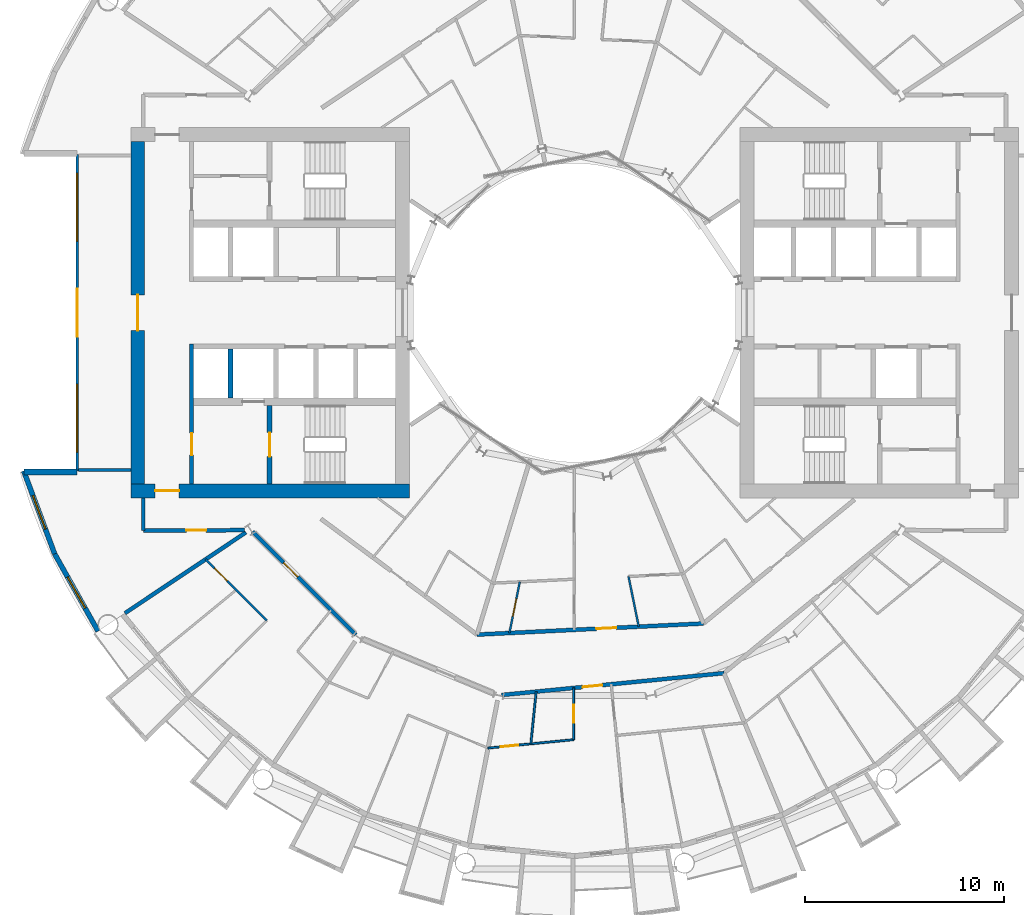
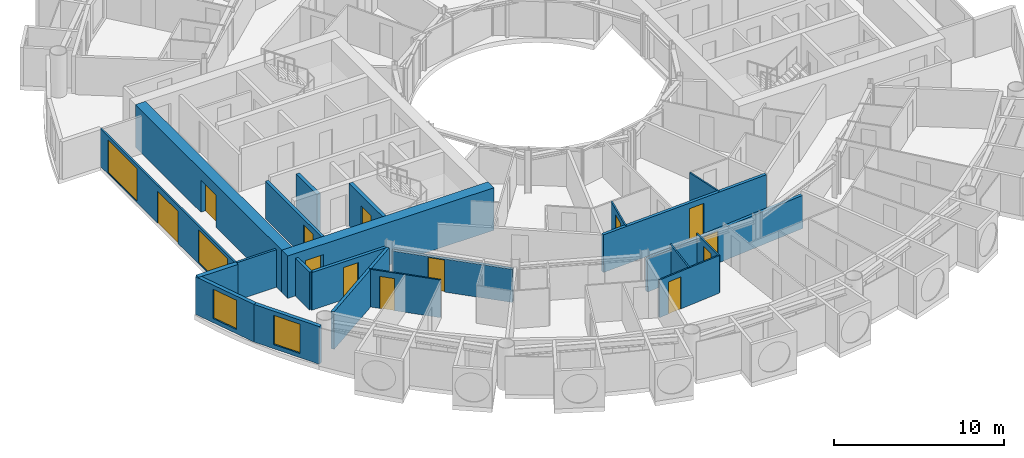
# One storey, part 14 of 26: 22 walls, 13 doors, 4 windows, 17 openings.
"""IFC4 building model written with IfcOpenShell, lengths in metres."""

from ifc_helpers import new_model, si_unit, direction, frame, frame_2d, origin, place, context, subcontext, project, spatial, rectangle, extrude, material, layer, layer_set, type_object, element, fill, save


model = new_model("IFC4")

# Units and contexts
model_context = context("Model", 3, precision=1e-05, world=origin(), true_north=direction((0.0, 1.0)))
body_context = subcontext(model_context, "Body", "Model", "MODEL_VIEW")
ifc_project = project(units=[si_unit("LENGTHUNIT", "METRE"), si_unit("AREAUNIT", "SQUARE_METRE"), si_unit("VOLUMEUNIT", "CUBIC_METRE"), si_unit("PLANEANGLEUNIT", "RADIAN"), si_unit("MASSUNIT", "GRAM", prefix="KILO")], contexts=[model_context])

# Site, building, storey
site_placement = place(None, origin())
site = spatial("IfcSite", under=ifc_project, at=site_placement, CompositionType="ELEMENT")
building_placement = place(site_placement, origin())
building = spatial("IfcBuilding", under=site, at=building_placement, Name="Maasbend Ring Residences", CompositionType="ELEMENT")
storey_placement = place(building_placement, frame((0.0, 0.0, 63.60009765625)))
storey = spatial("IfcBuildingStorey", under=building, at=storey_placement, Name="L17", CompositionType="ELEMENT", Elevation=63.60009765625)

# Wall, opening, door
ifc_material_1 = material(Name="Concrete C70/85", Category="concrete")
ifc_layer_1 = layer(ifc_material_1, 0.25)
ifc_layer_set_1 = layer_set([ifc_layer_1], Name="Concrete C70/85")
wall_type_1 = type_object("IfcWallType", Name="CORE WALL 250 C70/85", PredefinedType="SHEAR", material=ifc_layer_set_1)
wall_1_placement = place(storey_placement, frame((-15.324951171875, -4.64990234375, 0.0), z_axis=(0.0, 0.0, 1.0), x_axis=(0.0, -1.0, 0.0)))
wall_1 = element("IfcWall", 1, at=wall_1_placement, inside=storey, type_object=wall_type_1, Name="L17 core W wall STEN", PredefinedType="SHEAR", context=body_context, shape_type="SweptSolid", body=[
    extrude(rectangle(XDim=3.9501953125, YDim=0.25, at=frame_2d((1.97509765625, 0.0))), origin(), (0.0, 0.0, 1.0), 3.0498046875),
])
opening_1_placement = place(wall_1_placement, frame((1.375, 0.0, 0.0)))
opening_1 = element("IfcOpeningElement", 2, at=opening_1_placement, cuts=wall_1, Name="Opening D-W1709", PredefinedType="OPENING", context=body_context, shape_type="SweptSolid", body=[
    extrude(rectangle(XDim=1.199951171875, YDim=2.300048828125, at=frame_2d((0.60009765625, 1.14990234375))), frame((0.0, 0.135009765625, 0.0), z_axis=(0.0, -1.0, 0.0), x_axis=(1.0, 0.0, 0.0)), (0.0, 0.0, 1.0), 0.27001953125),
])
ifc_material_2 = material(Name="Steel, powder coated", Category="steel")
door_type_1 = type_object("IfcDoorType", Name="STAIR DOOR 1200 X 2300 FD60", OperationType="NOTDEFINED", PredefinedType="DOOR", material=ifc_material_2)
door_1_placement = place(opening_1_placement, origin())
door_1 = element("IfcDoor", 3, at=door_1_placement, inside=storey, type_object=door_type_1, Name="Stair door ST-W L17", OperationType="SINGLE_SWING_LEFT", OverallHeight=2.300048828125, OverallWidth=1.199951171875, PredefinedType="DOOR", context=body_context, shape_type="SweptSolid", body=[
    extrude(rectangle(XDim=1.199951171875, YDim=2.300048828125, at=frame_2d((0.60009765625, 1.14990234375))), frame((0.0, 0.02490234375, 0.0), z_axis=(0.0, -1.0, 0.0), x_axis=(1.0, 0.0, 0.0)), (0.0, 0.0, 1.0), 0.050048828125),
])
fill(opening_1, door_1)

ifc_material_3 = material(Name="Concrete C70/85", Category="concrete")
ifc_layer_2 = layer(ifc_material_3, 0.699951171875)
ifc_layer_set_2 = layer_set([ifc_layer_2], Name="Concrete C70/85")
wall_type_2 = type_object("IfcWallType", Name="CORE WALL 700 C70/85", PredefinedType="SHEAR", material=ifc_layer_set_2)
wall_2_placement = place(storey_placement, frame((-22.300048828125, -8.949951171875, 0.0), z_axis=(0.0, 0.0, 1.0), x_axis=(1.0, 0.0, 0.0)))
wall_2 = element("IfcWall", 4, at=wall_2_placement, inside=storey, type_object=wall_type_2, Name="L17 core W wall PN", PredefinedType="SHEAR", context=body_context, shape_type="SweptSolid", body=[
    extrude(rectangle(XDim=14.0, YDim=0.699951171875, at=frame_2d((7.0, 0.0))), origin(), (0.0, 0.0, 1.0), 3.0498046875),
])
opening_2_placement = place(wall_2_placement, frame((1.22509765625, 0.0, 0.0)))
opening_2 = element("IfcOpeningElement", 5, at=opening_2_placement, cuts=wall_2, Name="Opening D-W1713", PredefinedType="OPENING", context=body_context, shape_type="SweptSolid", body=[
    extrude(rectangle(XDim=1.199951171875, YDim=2.300048828125, at=frame_2d((0.60009765625, 1.14990234375))), frame((0.0, 0.35986328125, 0.0), z_axis=(0.0, -1.0, 0.0), x_axis=(1.0, 0.0, 0.0)), (0.0, 0.0, 1.0), 0.719970703125),
])
ifc_material_4 = material(Name="Steel, powder coated", Category="steel")
door_type_2 = type_object("IfcDoorType", Name="CORRIDOR DOOR 1200 X 2300 FD30S", OperationType="NOTDEFINED", PredefinedType="DOOR", material=ifc_material_4)
door_2_placement = place(opening_2_placement, origin())
door_2 = element("IfcDoor", 6, at=door_2_placement, inside=storey, type_object=door_type_2, Name="Corridor door L17", OperationType="SINGLE_SWING_RIGHT", OverallHeight=2.300048828125, OverallWidth=1.199951171875, PredefinedType="DOOR", context=body_context, shape_type="SweptSolid", body=[
    extrude(rectangle(XDim=1.199951171875, YDim=2.300048828125, at=frame_2d((0.60009765625, 1.14990234375))), frame((0.0, 0.02490234375, 0.0), z_axis=(0.0, -1.0, 0.0), x_axis=(1.0, 0.0, 0.0)), (0.0, 0.0, 1.0), 0.050048828125),
])
fill(opening_2, door_2)

wall_3_placement = place(storey_placement, frame((-21.949951171875, -8.60009765625, 0.0), z_axis=(0.0, 0.0, 1.0), x_axis=(0.0, 1.0, 0.0)))
wall_3 = element("IfcWall", 7, at=wall_3_placement, inside=storey, type_object=wall_type_2, Name="L17 core W wall POUT", PredefinedType="SHEAR", context=body_context, shape_type="SweptSolid", body=[
    extrude(rectangle(XDim=17.2001953125, YDim=0.699951171875, at=frame_2d((8.60009765625, 0.0))), origin(), (0.0, 0.0, 1.0), 3.0498046875),
])
opening_3_placement = place(wall_3_placement, frame((7.699951171875, 0.0, 0.0)))
opening_3 = element("IfcOpeningElement", 8, at=opening_3_placement, cuts=wall_3, Name="Opening D-W1715", PredefinedType="OPENING", context=body_context, shape_type="SweptSolid", body=[
    extrude(rectangle(XDim=1.800048828125, YDim=2.300048828125, at=frame_2d((0.89990234375, 1.14990234375))), frame((0.0, 0.35986328125, 0.0), z_axis=(0.0, -1.0, 0.0), x_axis=(1.0, 0.0, 0.0)), (0.0, 0.0, 1.0), 0.719970703125),
])
ifc_material_5 = material(Name="Aluminium frame, clear glass", Category="aluminium")
door_type_3 = type_object("IfcDoorType", Name="ENTRANCE DOOR 1800 X 2300 FD60", OperationType="NOTDEFINED", PredefinedType="DOOR", material=ifc_material_5)
door_3_placement = place(opening_3_placement, origin())
door_3 = element("IfcDoor", 9, at=door_3_placement, inside=storey, type_object=door_type_3, Name="Lobby glazed door L17", OperationType="SINGLE_SWING_LEFT", OverallHeight=2.300048828125, OverallWidth=1.800048828125, PredefinedType="DOOR", context=body_context, shape_type="SweptSolid", body=[
    extrude(rectangle(XDim=1.800048828125, YDim=2.300048828125, at=frame_2d((0.89990234375, 1.14990234375))), frame((0.0, 0.02490234375, 0.0), z_axis=(0.0, -1.0, 0.0), x_axis=(1.0, 0.0, 0.0)), (0.0, 0.0, 1.0), 0.050048828125),
])
fill(opening_3, door_3)

ifc_material_6 = material(Name="Concrete C30/37", Category="concrete")
ifc_layer_3 = layer(ifc_material_6, 0.199951171875)
ifc_layer_set_3 = layer_set([ifc_layer_3], Name="Concrete C30/37")
wall_type_3 = type_object("IfcWallType", Name="CORRIDOR WALL 200 CONCRETE", PredefinedType="PARTITIONING", material=ifc_layer_set_3)
wall_4_placement = place(storey_placement, frame((-16.18603515625, -11.0, 0.0), z_axis=(0.0, 0.0, 1.0), x_axis=(0.707106781187, -0.707106781187, 0.0)))
wall_4 = element("IfcWall", 10, at=wall_4_placement, inside=storey, type_object=wall_type_3, Name="U-L17-w011", PredefinedType="PARTITIONING", context=body_context, shape_type="SweptSolid", body=[
    extrude(rectangle(XDim=7.334228515625, YDim=0.199951171875, at=frame_2d((3.6669921875, 0.0))), origin(), (0.0, 0.0, 1.0), 2.3798828125),
])
opening_4_placement = place(wall_4_placement, frame((2.2109375, 0.0, 0.0)))
opening_4 = element("IfcOpeningElement", 11, at=opening_4_placement, cuts=wall_4, Name="Opening D-1735", PredefinedType="OPENING", context=body_context, shape_type="SweptSolid", body=[
    extrude(rectangle(XDim=1.0, YDim=2.300048828125, at=frame_2d((0.5, 1.14990234375))), frame((0.0, 0.10986328125, 0.0), z_axis=(0.0, -1.0, 0.0), x_axis=(1.0, 0.0, 0.0)), (0.0, 0.0, 1.0), 0.219970703125),
])
ifc_material_7 = material(Name="Timber, fire-rated, painted", Category="wood")
door_type_4 = type_object("IfcDoorType", Name="FLAT ENTRANCE DOOR 1000 X 2300 FIRE-RATED", OperationType="NOTDEFINED", PredefinedType="DOOR", material=ifc_material_7)
door_4_placement = place(opening_4_placement, origin())
door_4 = element("IfcDoor", 12, at=door_4_placement, inside=storey, type_object=door_type_4, Name="D-1735", OperationType="SINGLE_SWING_LEFT", OverallHeight=2.300048828125, OverallWidth=1.0, PredefinedType="DOOR", context=body_context, shape_type="SweptSolid", body=[
    extrude(rectangle(XDim=1.0, YDim=2.300048828125, at=frame_2d((0.5, 1.14990234375))), frame((0.0, 0.02490234375, 0.0), z_axis=(0.0, -1.0, 0.0), x_axis=(1.0, 0.0, 0.0)), (0.0, 0.0, 1.0), 0.050048828125),
])
fill(opening_4, door_4)

wall_5_placement = place(storey_placement, frame((-3.6650390625, -19.20703125, 0.0), z_axis=(0.0, 0.0, 1.0), x_axis=(0.995190249661, 0.097961048277, 0.0)))
wall_5 = element("IfcWall", 13, at=wall_5_placement, inside=storey, type_object=wall_type_3, Name="U-L17-w013", PredefinedType="PARTITIONING", context=body_context, shape_type="SweptSolid", body=[
    extrude(rectangle(XDim=11.219970703125, YDim=0.199951171875, at=frame_2d((5.60986328125, 0.0))), origin(), (0.0, 0.0, 1.0), 2.3798828125),
])
opening_5_placement = place(wall_5_placement, frame((4.080078125, 0.0, 0.0)))
opening_5 = element("IfcOpeningElement", 14, at=opening_5_placement, cuts=wall_5, Name="Opening D-1743", PredefinedType="OPENING", context=body_context, shape_type="SweptSolid", body=[
    extrude(rectangle(XDim=1.0, YDim=2.300048828125, at=frame_2d((0.5, 1.14990234375))), frame((0.0, 0.10986328125, 0.0), z_axis=(0.0, -1.0, 0.0), x_axis=(1.0, 0.0, 0.0)), (0.0, 0.0, 1.0), 0.219970703125),
])
door_5_placement = place(opening_5_placement, origin())
door_5 = element("IfcDoor", 15, at=door_5_placement, inside=storey, type_object=door_type_4, Name="D-1743", OperationType="SINGLE_SWING_LEFT", OverallHeight=2.300048828125, OverallWidth=1.0, PredefinedType="DOOR", context=body_context, shape_type="SweptSolid", body=[
    extrude(rectangle(XDim=1.0, YDim=2.300048828125, at=frame_2d((0.5, 1.14990234375))), frame((0.0, 0.02490234375, 0.0), z_axis=(0.0, -1.0, 0.0), x_axis=(1.0, 0.0, 0.0)), (0.0, 0.0, 1.0), 0.050048828125),
])
fill(opening_5, door_5)

wall_6_placement = place(storey_placement, frame((-4.908935546875, -16.172119140625, 0.0), z_axis=(0.0, 0.0, 1.0), x_axis=(0.99879913765, 0.048992679355, 0.0)))
wall_6 = element("IfcWall", 16, at=wall_6_placement, inside=storey, type_object=wall_type_3, Name="U-L17-w017", PredefinedType="PARTITIONING", context=body_context, shape_type="SweptSolid", body=[
    extrude(rectangle(XDim=11.3916015625, YDim=0.199951171875, at=frame_2d((5.69580078125, 0.0))), origin(), (0.0, 0.0, 1.0), 2.699951171875),
])
opening_6_placement = place(wall_6_placement, frame((6.010986328125, 0.0, 0.0)))
opening_6 = element("IfcOpeningElement", 17, at=opening_6_placement, cuts=wall_6, Name="Opening D-1761", PredefinedType="OPENING", context=body_context, shape_type="SweptSolid", body=[
    extrude(rectangle(XDim=1.0, YDim=2.300048828125, at=frame_2d((0.5, 1.14990234375))), frame((0.0, 0.10986328125, 0.0), z_axis=(0.0, -1.0, 0.0), x_axis=(1.0, 0.0, 0.0)), (0.0, 0.0, 1.0), 0.219970703125),
])
door_6_placement = place(opening_6_placement, origin())
door_6 = element("IfcDoor", 18, at=door_6_placement, inside=storey, type_object=door_type_4, Name="D-1761", OperationType="SINGLE_SWING_RIGHT", OverallHeight=2.300048828125, OverallWidth=1.0, PredefinedType="DOOR", context=body_context, shape_type="SweptSolid", body=[
    extrude(rectangle(XDim=1.0, YDim=2.300048828125, at=frame_2d((0.5, 1.14990234375))), frame((0.0, 0.02490234375, 0.0), z_axis=(0.0, -1.0, 0.0), x_axis=(1.0, 0.0, 0.0)), (0.0, 0.0, 1.0), 0.050048828125),
])
fill(opening_6, door_6)

wall_7_placement = place(storey_placement, frame((-21.675048828125, -10.949951171875, 0.0), z_axis=(0.0, 0.0, 1.0), x_axis=(0.999988019025, 0.004895079807, 0.0)))
wall_7 = element("IfcWall", 19, at=wall_7_placement, inside=storey, type_object=wall_type_3, Name="U-L17-w025", PredefinedType="PARTITIONING", context=body_context, shape_type="SweptSolid", body=[
    extrude(rectangle(XDim=5.087158203125, YDim=0.199951171875, at=frame_2d((2.54345703125, 0.0))), origin(), (0.0, 0.0, 1.0), 2.699951171875),
])
opening_7_placement = place(wall_7_placement, frame((2.1630859375, 0.0, 0.0)))
opening_7 = element("IfcOpeningElement", 20, at=opening_7_placement, cuts=wall_7, Name="Opening D-1770", PredefinedType="OPENING", context=body_context, shape_type="SweptSolid", body=[
    extrude(rectangle(XDim=1.0, YDim=2.300048828125, at=frame_2d((0.5, 1.14990234375))), frame((0.0, 0.10986328125, 0.0), z_axis=(0.0, -1.0, 0.0), x_axis=(1.0, 0.0, 0.0)), (0.0, 0.0, 1.0), 0.219970703125),
])
ifc_material_8 = material(Name="Timber, painted", Category="wood")
door_type_5 = type_object("IfcDoorType", Name="ROOM DOOR 1000 X 2300", OperationType="NOTDEFINED", PredefinedType="DOOR", material=ifc_material_8)
door_7_placement = place(opening_7_placement, origin())
door_7 = element("IfcDoor", 21, at=door_7_placement, inside=storey, type_object=door_type_5, Name="D-1770", OperationType="SINGLE_SWING_RIGHT", OverallHeight=2.300048828125, OverallWidth=1.0, PredefinedType="DOOR", context=body_context, shape_type="SweptSolid", body=[
    extrude(rectangle(XDim=1.0, YDim=2.300048828125, at=frame_2d((0.5, 1.14990234375))), frame((0.0, 0.02490234375, 0.0), z_axis=(0.0, -1.0, 0.0), x_axis=(1.0, 0.0, 0.0)), (0.0, 0.0, 1.0), 0.050048828125),
])
fill(opening_7, door_7)

# Wall
wall_8_placement = place(storey_placement, frame((-21.675048828125, -10.949951171875, 0.0), z_axis=(0.0, 0.0, 1.0), x_axis=(0.0, 1.0, 0.0)))
element("IfcWall", 22, at=wall_8_placement, inside=storey, type_object=wall_type_3, Name="U-L17-w114", PredefinedType="PARTITIONING", context=body_context, shape_type="SweptSolid", body=[
    extrude(rectangle(XDim=1.64990234375, YDim=0.199951171875, at=frame_2d((0.824951171875, 0.0))), origin(), (0.0, 0.0, 1.0), 2.699951171875),
])

# Wall, opening, window
ifc_material_9 = material(Name="Aluminium clad insulated panel", Category="aluminium")
ifc_layer_4 = layer(ifc_material_9, 0.25)
ifc_layer_set_4 = layer_set([ifc_layer_4], Name="EW-HORN")
wall_type_4 = type_object("IfcWallType", Name="EW-HORN", PredefinedType="SOLIDWALL", material=ifc_layer_set_4)
wall_9_placement = place(storey_placement, frame((-27.681884765625, -7.945068359375, 0.0), z_axis=(0.0, 0.0, 1.0), x_axis=(0.349247811493, -0.937030397675, 0.0)))
wall_9 = element("IfcWall", 23, at=wall_9_placement, inside=storey, type_object=wall_type_4, Name="Horn wall 3.1", PredefinedType="SOLIDWALL", context=body_context, shape_type="SweptSolid", body=[
    extrude(rectangle(XDim=4.4521484375, YDim=0.25, at=frame_2d((2.22607421875, 0.0))), origin(), (0.0, 0.0, 1.0), 2.699951171875),
])
opening_8_placement = place(wall_9_placement, frame((1.32666015625, 0.0, 0.300048828125)))
opening_8 = element("IfcOpeningElement", 24, at=opening_8_placement, cuts=wall_9, Name="Opening W-BX", PredefinedType="OPENING", context=body_context, shape_type="SweptSolid", body=[
    extrude(rectangle(XDim=1.800048828125, YDim=2.10009765625, at=frame_2d((0.89990234375, 1.050048828125))), frame((0.0, 0.135009765625, 0.0), z_axis=(0.0, -1.0, 0.0), x_axis=(1.0, 0.0, 0.0)), (0.0, 0.0, 1.0), 0.27001953125),
])
ifc_material_10 = material(Name="Aluminium and clear glass", Category="aluminium")
window_type_1 = type_object("IfcWindowType", Name="W-BX", PartitioningType="DOUBLE_PANEL_VERTICAL", PredefinedType="WINDOW", material=ifc_material_10)
window_1_placement = place(opening_8_placement, origin())
window_1 = element("IfcWindow", 25, at=window_1_placement, inside=storey, type_object=window_type_1, Name="Horn window 3.1", OverallHeight=2.10009765625, OverallWidth=1.800048828125, PartitioningType="SINGLE_PANEL", PredefinedType="WINDOW", context=body_context, shape_type="SweptSolid", body=[
    extrude(rectangle(XDim=1.800048828125, YDim=2.10009765625, at=frame_2d((0.89990234375, 1.050048828125))), frame((0.0, 0.030029296875, 0.0), z_axis=(0.0, -1.0, 0.0), x_axis=(1.0, 0.0, 0.0)), (0.0, 0.0, 1.0), 0.06005859375),
])
fill(opening_8, window_1)

wall_10_placement = place(storey_placement, frame((-26.126953125, -12.116943359375, 0.0), z_axis=(0.0, 0.0, 1.0), x_axis=(0.489696356642, -0.871893042919, 0.0)))
wall_10 = element("IfcWall", 26, at=wall_10_placement, inside=storey, type_object=wall_type_4, Name="Horn wall 3.2", PredefinedType="SOLIDWALL", context=body_context, shape_type="SweptSolid", body=[
    extrude(rectangle(XDim=4.45361328125, YDim=0.25, at=frame_2d((2.226806640625, 0.0))), origin(), (0.0, 0.0, 1.0), 2.699951171875),
])
opening_9_placement = place(wall_10_placement, frame((1.32666015625, 0.0, 0.300048828125)))
opening_9 = element("IfcOpeningElement", 27, at=opening_9_placement, cuts=wall_10, Name="Opening W-BX", PredefinedType="OPENING", context=body_context, shape_type="SweptSolid", body=[
    extrude(rectangle(XDim=1.800048828125, YDim=2.10009765625, at=frame_2d((0.89990234375, 1.050048828125))), frame((0.0, 0.135009765625, 0.0), z_axis=(0.0, -1.0, 0.0), x_axis=(1.0, 0.0, 0.0)), (0.0, 0.0, 1.0), 0.27001953125),
])
window_2_placement = place(opening_9_placement, origin())
window_2 = element("IfcWindow", 28, at=window_2_placement, inside=storey, type_object=window_type_1, Name="Horn window 3.2", OverallHeight=2.10009765625, OverallWidth=1.800048828125, PartitioningType="SINGLE_PANEL", PredefinedType="WINDOW", context=body_context, shape_type="SweptSolid", body=[
    extrude(rectangle(XDim=1.800048828125, YDim=2.10009765625, at=frame_2d((0.89990234375, 1.050048828125))), frame((0.0, 0.030029296875, 0.0), z_axis=(0.0, -1.0, 0.0), x_axis=(1.0, 0.0, 0.0)), (0.0, 0.0, 1.0), 0.06005859375),
])
fill(opening_9, window_2)

# Wall
ifc_material_11 = material(Name="Aluminium clad insulated panel", Category="aluminium")
ifc_layer_5 = layer(ifc_material_11, 0.300048828125)
ifc_layer_set_5 = layer_set([ifc_layer_5], Name="EW-RET")
wall_type_5 = type_object("IfcWallType", Name="EW-RET", PredefinedType="SOLIDWALL", material=ifc_layer_set_5)
wall_11_placement = place(storey_placement, frame((-25.0, -8.0, 0.0), z_axis=(0.0, 0.0, 1.0), x_axis=(-1.0, 0.0, 0.0)))
element("IfcWall", 29, at=wall_11_placement, inside=storey, type_object=wall_type_5, Name="Notch return wall west south", PredefinedType="SOLIDWALL", context=body_context, shape_type="SweptSolid", body=[
    extrude(rectangle(XDim=2.6669921875, YDim=0.300048828125, at=frame_2d((1.33349609375, 0.0))), origin(), (0.0, 0.0, 1.0), 2.699951171875),
])

# Wall, openings, door, windows
ifc_material_12 = material(Name="Aluminium frame and clear glass", Category="aluminium")
ifc_layer_6 = layer(ifc_material_12, 0.1201171875)
ifc_layer_set_6 = layer_set([ifc_layer_6], Name="GLAZED SCREEN WALL 120 EI 60")
wall_type_6 = type_object("IfcWallType", Name="GLAZED SCREEN WALL 120 EI 60", PredefinedType="PARTITIONING", material=ifc_layer_set_6)
wall_12_placement = place(storey_placement, frame((-25.0, -7.949951171875, 0.0), z_axis=(0.0, 0.0, 1.0), x_axis=(0.0, 1.0, 0.0)))
wall_12 = element("IfcWall", 30, at=wall_12_placement, inside=storey, type_object=wall_type_6, Name="L17 core W wall FACE", PredefinedType="PARTITIONING", context=body_context, shape_type="SweptSolid", body=[
    extrude(rectangle(XDim=15.89990234375, YDim=0.1201171875, at=frame_2d((7.949951171875, 0.0))), origin(), (0.0, 0.0, 1.0), 2.699951171875),
])
opening_10_placement = place(wall_12_placement, frame((6.75, 0.0, 0.0)))
opening_10 = element("IfcOpeningElement", 31, at=opening_10_placement, cuts=wall_12, Name="Opening D-W1716", PredefinedType="OPENING", context=body_context, shape_type="SweptSolid", body=[
    extrude(rectangle(XDim=2.39990234375, YDim=2.300048828125, at=frame_2d((1.199951171875, 1.14990234375))), frame((0.0, 0.070068359375, 0.0), z_axis=(0.0, -1.0, 0.0), x_axis=(1.0, 0.0, 0.0)), (0.0, 0.0, 1.0), 0.14013671875),
])
opening_11_placement = place(wall_12_placement, frame((11.550048828125, 0.0, 0.10009765625)))
opening_11 = element("IfcOpeningElement", 32, at=opening_11_placement, cuts=wall_12, Name="Opening W-W1702", PredefinedType="OPENING", context=body_context, shape_type="SweptSolid", body=[
    extrude(rectangle(XDim=3.39990234375, YDim=2.35009765625, at=frame_2d((1.699951171875, 1.175048828125))), frame((0.0, 0.070068359375, 0.0), z_axis=(0.0, -1.0, 0.0), x_axis=(1.0, 0.0, 0.0)), (0.0, 0.0, 1.0), 0.14013671875),
])
opening_12_placement = place(wall_12_placement, frame((0.949951171875, 0.0, 0.10009765625)))
opening_12 = element("IfcOpeningElement", 33, at=opening_12_placement, cuts=wall_12, Name="Opening W-W1703", PredefinedType="OPENING", context=body_context, shape_type="SweptSolid", body=[
    extrude(rectangle(XDim=3.39990234375, YDim=2.35009765625, at=frame_2d((1.699951171875, 1.175048828125))), frame((0.0, 0.070068359375, 0.0), z_axis=(0.0, -1.0, 0.0), x_axis=(1.0, 0.0, 0.0)), (0.0, 0.0, 1.0), 0.14013671875),
])
ifc_material_13 = material(Name="Aluminium frame, clear glass", Category="aluminium")
door_type_6 = type_object("IfcDoorType", Name="ENTRANCE DOOR 2400 X 2300 FD60", OperationType="NOTDEFINED", PredefinedType="DOOR", material=ifc_material_13)
door_8_placement = place(opening_10_placement, origin())
door_8 = element("IfcDoor", 34, at=door_8_placement, inside=storey, type_object=door_type_6, Name="Lobby glazed door L17", OperationType="SINGLE_SWING_LEFT", OverallHeight=2.300048828125, OverallWidth=2.39990234375, PredefinedType="DOOR", context=body_context, shape_type="SweptSolid", body=[
    extrude(rectangle(XDim=2.39990234375, YDim=2.300048828125, at=frame_2d((1.199951171875, 1.14990234375))), frame((0.0, 0.02490234375, 0.0), z_axis=(0.0, -1.0, 0.0), x_axis=(1.0, 0.0, 0.0)), (0.0, 0.0, 1.0), 0.050048828125),
])
fill(opening_10, door_8)
ifc_material_14 = material(Name="Aluminium frame and clear glass", Category="aluminium")
window_type_2 = type_object("IfcWindowType", Name="FIXED WINDOW 3400 X 2350", PartitioningType="SINGLE_PANEL", PredefinedType="WINDOW", material=ifc_material_14)
window_3_placement = place(opening_11_placement, origin())
window_3 = element("IfcWindow", 35, at=window_3_placement, inside=storey, type_object=window_type_2, Name="Lobby window L17", OverallHeight=2.35009765625, OverallWidth=3.39990234375, PartitioningType="SINGLE_PANEL", PredefinedType="WINDOW", context=body_context, shape_type="SweptSolid", body=[
    extrude(rectangle(XDim=3.39990234375, YDim=2.35009765625, at=frame_2d((1.699951171875, 1.175048828125))), frame((0.0, 0.030029296875, 0.0), z_axis=(0.0, -1.0, 0.0), x_axis=(1.0, 0.0, 0.0)), (0.0, 0.0, 1.0), 0.06005859375),
])
fill(opening_11, window_3)
window_4_placement = place(opening_12_placement, origin())
window_4 = element("IfcWindow", 36, at=window_4_placement, inside=storey, type_object=window_type_2, Name="Lobby window L17", OverallHeight=2.35009765625, OverallWidth=3.39990234375, PartitioningType="SINGLE_PANEL", PredefinedType="WINDOW", context=body_context, shape_type="SweptSolid", body=[
    extrude(rectangle(XDim=3.39990234375, YDim=2.35009765625, at=frame_2d((1.699951171875, 1.175048828125))), frame((0.0, 0.030029296875, 0.0), z_axis=(0.0, -1.0, 0.0), x_axis=(1.0, 0.0, 0.0)), (0.0, 0.0, 1.0), 0.06005859375),
])
fill(opening_12, window_4)

# Wall, opening, door
ifc_material_15 = material(Name="Gypsum board on steel studs", Category="steel")
ifc_layer_7 = layer(ifc_material_15, 0.10009765625)
ifc_layer_set_7 = layer_set([ifc_layer_7], Name="PARTITION 100 GYPSUM")
wall_type_7 = type_object("IfcWallType", Name="PARTITION 100 GYPSUM", PredefinedType="PARTITIONING", material=ifc_layer_set_7)
wall_13_placement = place(storey_placement, frame((-18.544921875, -12.385986328125, 0.0), z_axis=(0.0, 0.0, 1.0), x_axis=(0.707106781187, -0.707106781187, 0.0)))
wall_13 = element("IfcWall", 37, at=wall_13_placement, inside=storey, type_object=wall_type_7, Name="U-L17-w001", PredefinedType="PARTITIONING", context=body_context, shape_type="SweptSolid", body=[
    extrude(rectangle(XDim=4.351318359375, YDim=0.10009765625, at=frame_2d((2.17578125, 0.0))), origin(), (0.0, 0.0, 1.0), 2.699951171875),
])
opening_13_placement = place(wall_13_placement, frame((0.64404296875, 0.0, 0.0)))
opening_13 = element("IfcOpeningElement", 38, at=opening_13_placement, cuts=wall_13, Name="Opening D-1738", PredefinedType="OPENING", context=body_context, shape_type="SweptSolid", body=[
    extrude(rectangle(XDim=0.89990234375, YDim=2.300048828125, at=frame_2d((0.449951171875, 1.14990234375))), frame((0.0, 0.06005859375, 0.0), z_axis=(0.0, -1.0, 0.0), x_axis=(1.0, 0.0, 0.0)), (0.0, 0.0, 1.0), 0.1201171875),
])
ifc_material_16 = material(Name="Timber, painted", Category="wood")
door_type_7 = type_object("IfcDoorType", Name="INTERNAL DOOR 900 X 2300", OperationType="NOTDEFINED", PredefinedType="DOOR", material=ifc_material_16)
door_9_placement = place(opening_13_placement, origin())
door_9 = element("IfcDoor", 39, at=door_9_placement, inside=storey, type_object=door_type_7, Name="D-1738", OperationType="SINGLE_SWING_LEFT", OverallHeight=2.300048828125, OverallWidth=0.89990234375, PredefinedType="DOOR", context=body_context, shape_type="SweptSolid", body=[
    extrude(rectangle(XDim=0.89990234375, YDim=2.300048828125, at=frame_2d((0.449951171875, 1.14990234375))), frame((0.0, 0.02490234375, 0.0), z_axis=(0.0, -1.0, 0.0), x_axis=(1.0, 0.0, 0.0)), (0.0, 0.0, 1.0), 0.050048828125),
])
fill(opening_13, door_9)

wall_14_placement = place(storey_placement, frame((-4.360107421875, -21.8720703125, 0.0), z_axis=(0.0, 0.0, 1.0), x_axis=(0.995203449084, 0.097826862012, 0.0)))
wall_14 = element("IfcWall", 40, at=wall_14_placement, inside=storey, type_object=wall_type_7, Name="U-L17-w007", PredefinedType="PARTITIONING", context=body_context, shape_type="SweptSolid", body=[
    extrude(rectangle(XDim=4.324951171875, YDim=0.10009765625, at=frame_2d((2.16259765625, 0.0))), origin(), (0.0, 0.0, 1.0), 2.699951171875),
])
opening_14_placement = place(wall_14_placement, frame((0.639892578125, 0.0, 0.0)))
opening_14 = element("IfcOpeningElement", 41, at=opening_14_placement, cuts=wall_14, Name="Opening D-1744", PredefinedType="OPENING", context=body_context, shape_type="SweptSolid", body=[
    extrude(rectangle(XDim=0.89990234375, YDim=2.300048828125, at=frame_2d((0.449951171875, 1.14990234375))), frame((0.0, 0.06005859375, 0.0), z_axis=(0.0, -1.0, 0.0), x_axis=(1.0, 0.0, 0.0)), (0.0, 0.0, 1.0), 0.1201171875),
])
door_10_placement = place(opening_14_placement, origin())
door_10 = element("IfcDoor", 42, at=door_10_placement, inside=storey, type_object=door_type_7, Name="D-1744", OperationType="SINGLE_SWING_LEFT", OverallHeight=2.300048828125, OverallWidth=0.89990234375, PredefinedType="DOOR", context=body_context, shape_type="SweptSolid", body=[
    extrude(rectangle(XDim=0.89990234375, YDim=2.300048828125, at=frame_2d((0.449951171875, 1.14990234375))), frame((0.0, 0.02490234375, 0.0), z_axis=(0.0, -1.0, 0.0), x_axis=(1.0, 0.0, 0.0)), (0.0, 0.0, 1.0), 0.050048828125),
])
fill(opening_14, door_10)

wall_15_placement = place(storey_placement, frame((-3.281005859375, -16.092041015625, 0.0), z_axis=(0.0, 0.0, 1.0), x_axis=(0.199675621436, 0.979862054681, 0.0)))
wall_15 = element("IfcWall", 43, at=wall_15_placement, inside=storey, type_object=wall_type_7, Name="U-L17-w054", PredefinedType="PARTITIONING", context=body_context, shape_type="SweptSolid", body=[
    extrude(rectangle(XDim=2.623779296875, YDim=0.10009765625, at=frame_2d((1.31201171875, 0.0))), origin(), (0.0, 0.0, 1.0), 2.699951171875),
])
opening_15_placement = place(wall_15_placement, frame((0.862060546875, 0.0, 0.0)))
opening_15 = element("IfcOpeningElement", 44, at=opening_15_placement, cuts=wall_15, Name="Opening D-1764", PredefinedType="OPENING", context=body_context, shape_type="SweptSolid", body=[
    extrude(rectangle(XDim=0.89990234375, YDim=2.300048828125, at=frame_2d((0.449951171875, 1.14990234375))), frame((0.0, 0.06005859375, 0.0), z_axis=(0.0, -1.0, 0.0), x_axis=(1.0, 0.0, 0.0)), (0.0, 0.0, 1.0), 0.1201171875),
])
door_11_placement = place(opening_15_placement, origin())
door_11 = element("IfcDoor", 45, at=door_11_placement, inside=storey, type_object=door_type_7, Name="D-1764", OperationType="SINGLE_SWING_LEFT", OverallHeight=2.300048828125, OverallWidth=0.89990234375, PredefinedType="DOOR", context=body_context, shape_type="SweptSolid", body=[
    extrude(rectangle(XDim=0.89990234375, YDim=2.300048828125, at=frame_2d((0.449951171875, 1.14990234375))), frame((0.0, 0.02490234375, 0.0), z_axis=(0.0, -1.0, 0.0), x_axis=(1.0, 0.0, 0.0)), (0.0, 0.0, 1.0), 0.050048828125),
])
fill(opening_15, door_11)

# Wall
wall_16_placement = place(storey_placement, frame((-2.202880859375, -21.659912109375, 0.0), z_axis=(0.0, 0.0, 1.0), x_axis=(0.101218154182, 0.994864254692, 0.0)))
element("IfcWall", 46, at=wall_16_placement, inside=storey, type_object=wall_type_7, Name="U-L17-w056", PredefinedType="PARTITIONING", context=body_context, shape_type="SweptSolid", body=[
    extrude(rectangle(XDim=2.63623046875, YDim=0.10009765625, at=frame_2d((1.318115234375, 0.0))), origin(), (0.0, 0.0, 1.0), 2.699951171875),
])

# Wall, opening, door
wall_17_placement = place(storey_placement, frame((-0.055908203125, -21.448974609375, 0.0), z_axis=(0.0, 0.0, 1.0), x_axis=(0.002632312023, 0.999996535461, 0.0)))
wall_17 = element("IfcWall", 47, at=wall_17_placement, inside=storey, type_object=wall_type_7, Name="U-L17-w058", PredefinedType="PARTITIONING", context=body_context, shape_type="SweptSolid", body=[
    extrude(rectangle(XDim=2.596923828125, YDim=0.10009765625, at=frame_2d((1.29833984375, 0.0))), origin(), (0.0, 0.0, 1.0), 2.699951171875),
])
opening_16_placement = place(wall_17_placement, frame((0.84912109375, 0.0, 0.0)))
opening_16 = element("IfcOpeningElement", 48, at=opening_16_placement, cuts=wall_17, Name="Opening D-1745", PredefinedType="OPENING", context=body_context, shape_type="SweptSolid", body=[
    extrude(rectangle(XDim=0.89990234375, YDim=2.300048828125, at=frame_2d((0.449951171875, 1.14990234375))), frame((0.0, 0.06005859375, 0.0), z_axis=(0.0, -1.0, 0.0), x_axis=(1.0, 0.0, 0.0)), (0.0, 0.0, 1.0), 0.1201171875),
])
door_12_placement = place(opening_16_placement, origin())
door_12 = element("IfcDoor", 49, at=door_12_placement, inside=storey, type_object=door_type_7, Name="D-1745", OperationType="SINGLE_SWING_RIGHT", OverallHeight=2.300048828125, OverallWidth=0.89990234375, PredefinedType="DOOR", context=body_context, shape_type="SweptSolid", body=[
    extrude(rectangle(XDim=0.89990234375, YDim=2.300048828125, at=frame_2d((0.449951171875, 1.14990234375))), frame((0.0, 0.02490234375, 0.0), z_axis=(0.0, -1.0, 0.0), x_axis=(1.0, 0.0, 0.0)), (0.0, 0.0, 1.0), 0.050048828125),
])
fill(opening_16, door_12)

# Walls
wall_18_placement = place(storey_placement, frame((2.7041015625, -13.2529296875, 0.0), z_axis=(0.0, 0.0, 1.0), x_axis=(0.199820523641, -0.979832515449, 0.0)))
element("IfcWall", 50, at=wall_18_placement, inside=storey, type_object=wall_type_7, Name="U-L17-w065", PredefinedType="PARTITIONING", context=body_context, shape_type="SweptSolid", body=[
    extrude(rectangle(XDim=2.57177734375, YDim=0.10009765625, at=frame_2d((1.285888671875, 0.0))), origin(), (0.0, 0.0, 1.0), 2.699951171875),
])
ifc_material_17 = material(Name="Gypsum board on steel studs", Category="steel")
ifc_layer_8 = layer(ifc_material_17, 0.14990234375)
ifc_layer_set_8 = layer_set([ifc_layer_8], Name="PARTITION 150 EI 60")
wall_type_8 = type_object("IfcWallType", Name="PARTITION 150 EI 60", PredefinedType="PARTITIONING", material=ifc_layer_set_8)
wall_19_placement = place(storey_placement, frame((-22.300048828125, -7.89990234375, 0.0), z_axis=(0.0, 0.0, 1.0), x_axis=(-1.0, 0.0, 0.0)))
element("IfcWall", 51, at=wall_19_placement, inside=storey, type_object=wall_type_8, Name="L17 core W wall CITN", PredefinedType="PARTITIONING", context=body_context, shape_type="SweptSolid", body=[
    extrude(rectangle(XDim=2.639892578125, YDim=0.14990234375, at=frame_2d((1.31982421875, 0.0))), origin(), (0.0, 0.0, 1.0), 2.699951171875),
])
ifc_material_18 = material(Name="Concrete C30/37", Category="concrete")
ifc_layer_9 = layer(ifc_material_18, 0.199951171875)
ifc_layer_set_9 = layer_set([ifc_layer_9], Name="Concrete C30/37")
wall_type_9 = type_object("IfcWallType", Name="PARTY WALL 200 CONCRETE", PredefinedType="PARTITIONING", material=ifc_layer_set_9)
wall_20_placement = place(storey_placement, frame((-22.594970703125, -15.096923828125, 0.0), z_axis=(0.0, 0.0, 1.0), x_axis=(0.831505405283, 0.555516661303, 0.0)))
element("IfcWall", 52, at=wall_20_placement, inside=storey, type_object=wall_type_9, Name="U-L17-w029", PredefinedType="PARTITIONING", context=body_context, shape_type="SweptSolid", body=[
    extrude(rectangle(XDim=7.31201171875, YDim=0.199951171875, at=frame_2d((3.656005859375, 0.0))), origin(), (0.0, 0.0, 1.0), 2.699951171875),
])

# Wall, opening, door
ifc_material_19 = material(Name="Concrete C30/37", Category="concrete")
ifc_layer_10 = layer(ifc_material_19, 0.199951171875)
ifc_layer_set_10 = layer_set([ifc_layer_10], Name="Concrete C30/37")
wall_type_10 = type_object("IfcWallType", Name="SHAFT WALL 200 EI 120", PredefinedType="SOLIDWALL", material=ifc_layer_set_10)
wall_21_placement = place(storey_placement, frame((-19.25, -1.574951171875, 0.0), z_axis=(0.0, 0.0, 1.0), x_axis=(0.0, -1.0, 0.0)))
wall_21 = element("IfcWall", 53, at=wall_21_placement, inside=storey, type_object=wall_type_10, Name="L17 core W wall ENDN", PredefinedType="SOLIDWALL", context=body_context, shape_type="SweptSolid", body=[
    extrude(rectangle(XDim=7.025146484375, YDim=0.199951171875, at=frame_2d((3.5126953125, 0.0))), origin(), (0.0, 0.0, 1.0), 2.699951171875),
])
opening_17_placement = place(wall_21_placement, frame((4.47509765625, 0.0, 0.0)))
opening_17 = element("IfcOpeningElement", 54, at=opening_17_placement, cuts=wall_21, Name="Opening D-W1711", PredefinedType="OPENING", context=body_context, shape_type="SweptSolid", body=[
    extrude(rectangle(XDim=1.10009765625, YDim=2.300048828125, at=frame_2d((0.550048828125, 1.14990234375))), frame((0.0, 0.10986328125, 0.0), z_axis=(0.0, -1.0, 0.0), x_axis=(1.0, 0.0, 0.0)), (0.0, 0.0, 1.0), 0.219970703125),
])
ifc_material_20 = material(Name="Steel, powder coated", Category="steel")
door_type_8 = type_object("IfcDoorType", Name="LOBBY DOOR 1100 X 2300 FD60", OperationType="NOTDEFINED", PredefinedType="DOOR", material=ifc_material_20)
door_13_placement = place(opening_17_placement, origin())
door_13 = element("IfcDoor", 55, at=door_13_placement, inside=storey, type_object=door_type_8, Name="Lobby door L17", OperationType="SINGLE_SWING_LEFT", OverallHeight=2.300048828125, OverallWidth=1.10009765625, PredefinedType="DOOR", context=body_context, shape_type="SweptSolid", body=[
    extrude(rectangle(XDim=1.10009765625, YDim=2.300048828125, at=frame_2d((0.550048828125, 1.14990234375))), frame((0.0, 0.02490234375, 0.0), z_axis=(0.0, -1.0, 0.0), x_axis=(1.0, 0.0, 0.0)), (0.0, 0.0, 1.0), 0.050048828125),
])
fill(opening_17, door_13)

# Wall
ifc_material_21 = material(Name="Concrete C30/37", Category="concrete")
ifc_layer_11 = layer(ifc_material_21, 0.25)
ifc_layer_set_11 = layer_set([ifc_layer_11], Name="Concrete C30/37")
wall_type_11 = type_object("IfcWallType", Name="SHAFT WALL 250 EI 120", PredefinedType="SOLIDWALL", material=ifc_layer_set_11)
wall_22_placement = place(storey_placement, frame((-17.300048828125, -1.824951171875, 0.0), z_axis=(0.0, 0.0, 1.0), x_axis=(0.0, -1.0, 0.0)))
element("IfcWall", 56, at=wall_22_placement, inside=storey, type_object=wall_type_11, Name="L17 core W wall D173N", PredefinedType="SOLIDWALL", context=body_context, shape_type="SweptSolid", body=[
    extrude(rectangle(XDim=2.449951171875, YDim=0.25, at=frame_2d((1.22509765625, 0.0))), origin(), (0.0, 0.0, 1.0), 2.699951171875),
])

save(model, "model.ifc")
